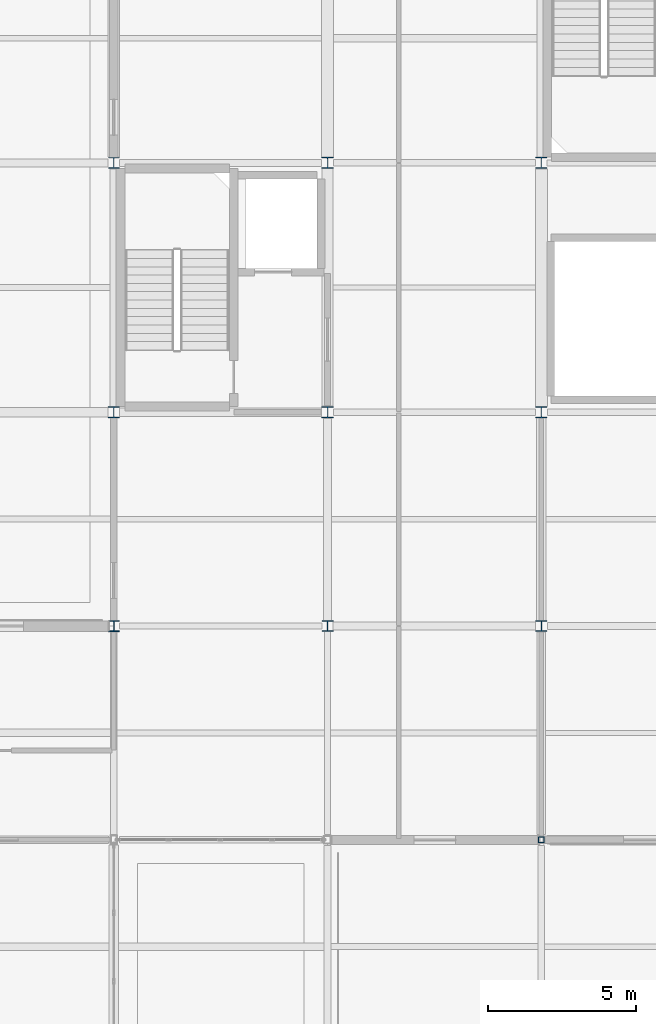
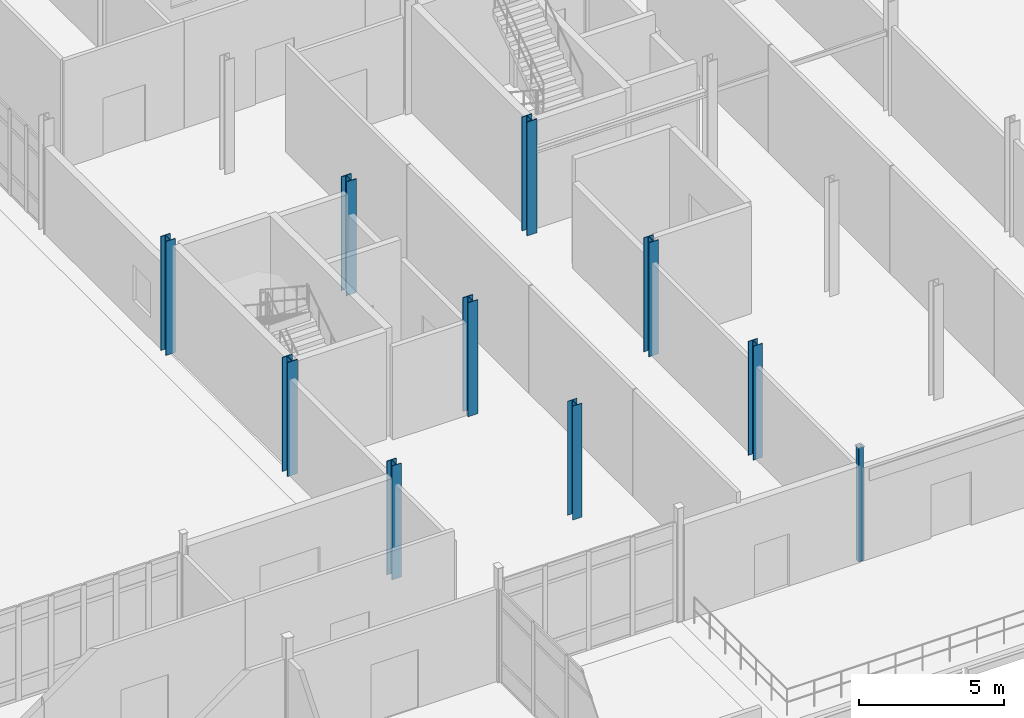
# One storey, part 7 of 186: 10 columns.
"""IFC4 building model written with IfcOpenShell, lengths in metres."""

import ifcopenshell
import ifcopenshell.guid

model = None  # the IFC model being written
_history = None  # IfcOwnerHistory: only IFC2X3 demands one
_inside = {}  # id of a spatial element -> (the spatial element, [elements in it])
_under = {}  # id of a project, library or spatial element -> (it, [spatial elements below it])
_declared = {}  # id of a project -> (the project, [libraries it declares])
_typed = {}  # id of a type object -> (the type object, [elements of that type])
_made_of = {}  # id of a material, layer set ... -> (it, [elements and type objects made of it])


def new_model(schema):
    """Start an empty IFC model of exactly this schema.

    Asked for "IFC4X3", IfcOpenShell would pick the latest addendum, in which some entities
    have other attributes; the version numbers below select the first issue.
    IFC2X3 requires an IfcOwnerHistory on every rooted entity: one is made here for all.
    """
    global model, _history
    if schema == "IFC4X3":
        model = ifcopenshell.file(schema_version=(4, 3, 0, 0))
    else:
        model = ifcopenshell.file(schema=schema)
    _inside.clear()
    _under.clear()
    _declared.clear()
    _typed.clear()
    _made_of.clear()
    _history = None
    if model.schema == "IFC2X3":
        org = make("IfcOrganization", Name="unknown")
        user = make(
            "IfcPersonAndOrganization",
            ThePerson=make("IfcPerson", FamilyName="unknown"),
            TheOrganization=org,
        )
        app = make(
            "IfcApplication",
            ApplicationDeveloper=org,
            Version="unknown",
            ApplicationFullName="unknown",
            ApplicationIdentifier="unknown",
        )
        _history = make(
            "IfcOwnerHistory",
            OwningUser=user,
            OwningApplication=app,
            ChangeAction="ADDED",
            CreationDate=0,
        )
    return model


def make(cls, **values):
    """One entity of the class cls with the attributes given. An attribute that is None is left unset."""
    return model.create_entity(
        cls, **{name: value for name, value in values.items() if value is not None}
    )


def rooted(cls, **values):
    """An entity with a GlobalId (a new one), such as an element, a storey or a relation."""
    return make(cls, GlobalId=ifcopenshell.guid.new(), OwnerHistory=_history, **values)


def si_unit(unit_type, name, prefix=None):
    """IfcSIUnit, for example si_unit("LENGTHUNIT", "METRE", prefix="MILLI")."""
    return make("IfcSIUnit", UnitType=unit_type, Prefix=prefix, Name=name)


def assignment(units):
    """IfcUnitAssignment: the units of a project."""
    return None if units is None else make("IfcUnitAssignment", Units=units)


def point(xyz):
    """IfcCartesianPoint."""
    return None if xyz is None else make("IfcCartesianPoint", Coordinates=xyz)


def direction(xyz):
    """IfcDirection."""
    return None if xyz is None else make("IfcDirection", DirectionRatios=xyz)


def frame(location, z_axis=None, x_axis=None):
    """IfcAxis2Placement3D, a coordinate frame: its origin and axes. An axis left out is left unset."""
    return make(
        "IfcAxis2Placement3D",
        Location=point(location),
        Axis=direction(z_axis),
        RefDirection=direction(x_axis),
    )


def frame_2d(location, x_axis=None):
    """IfcAxis2Placement2D, a coordinate frame in the plane: its origin and x axis."""
    return make(
        "IfcAxis2Placement2D", Location=point(location), RefDirection=direction(x_axis)
    )


def origin():
    """The frame at (0, 0, 0) with its axes left unset."""
    return frame((0.0, 0.0, 0.0))


def origin_2d():
    """The frame at (0, 0) in the plane with its x axis left unset."""
    return frame_2d((0.0, 0.0))


def place(relative_to, where):
    """IfcLocalPlacement: puts the frame where relative to a parent placement (None: the world)."""
    return make(
        "IfcLocalPlacement", PlacementRelTo=relative_to, RelativePlacement=where
    )


def context(
    kind, dimensions, precision=None, world=None, true_north=None, identifier=None
):
    """IfcGeometricRepresentationContext, for example the 3D "Model" context."""
    return make(
        "IfcGeometricRepresentationContext",
        ContextIdentifier=identifier,
        ContextType=kind,
        CoordinateSpaceDimension=dimensions,
        Precision=precision,
        WorldCoordinateSystem=world,
        TrueNorth=true_north,
    )


def subcontext(parent, identifier, kind, view, scale=None):
    """IfcGeometricRepresentationSubContext, for example "Body" below "Model"."""
    return make(
        "IfcGeometricRepresentationSubContext",
        ContextIdentifier=identifier,
        ContextType=kind,
        ParentContext=parent,
        TargetScale=scale,
        TargetView=view,
    )


def project(units=None, contexts=None):
    """IfcProject with its units and contexts."""
    return rooted(
        "IfcProject",
        Name="project",
        RepresentationContexts=contexts,
        UnitsInContext=assignment(units),
    )


def spatial(cls, under=None, at=None, **own):
    """A site, building, storey or space (cls), placed at a placement, below another one or the project."""
    s = rooted(cls, ObjectPlacement=at, **own)
    if under is not None:
        _under.setdefault(under.id(), (under, []))[1].append(s)
    return s


def profile(cls, at=None, kind="AREA", **sizes):
    """A parametric profile (cls). Its sizes go by their IFC names, for example OverallWidth=200.0."""
    return make(cls, ProfileType=kind, Position=at, **sizes)


def hollow_rectangle(**sizes):
    """IfcRectangleHollowProfileDef."""
    return profile("IfcRectangleHollowProfileDef", **sizes)


def i_section(**sizes):
    """IfcIShapeProfileDef."""
    return profile("IfcIShapeProfileDef", **sizes)


def extrude(swept, where, along, depth):
    """IfcExtrudedAreaSolid: the profile swept, set in the frame where, extruded along a direction by depth."""
    return make(
        "IfcExtrudedAreaSolid",
        SweptArea=swept,
        Position=where,
        ExtrudedDirection=direction(along),
        Depth=depth,
    )


def shape(context_of_items, identifier, shape_type, items):
    """IfcShapeRepresentation: the items that make up one representation, for example the "Body"."""
    return make(
        "IfcShapeRepresentation",
        ContextOfItems=context_of_items,
        RepresentationIdentifier=identifier,
        RepresentationType=shape_type,
        Items=items,
    )


def material(Name=None, Category=None):
    """IfcMaterial."""
    return make("IfcMaterial", Name=Name, Category=Category)


def material_profile(
    of_material, cross_section, Name=None, Category=None, Priority=None
):
    """IfcMaterialProfile: a cross section and its material."""
    return make(
        "IfcMaterialProfile",
        Name=Name,
        Material=of_material,
        Profile=cross_section,
        Priority=Priority,
        Category=Category,
    )


def profile_set(profiles, Name=None, composite=None):
    """IfcMaterialProfileSet."""
    return make(
        "IfcMaterialProfileSet",
        Name=Name,
        MaterialProfiles=profiles,
        CompositeProfile=composite,
    )


def made_of(thing, what):
    """Note that an element or type object is made of a material, layer set ...; save() writes the relation."""
    if what is not None:
        _made_of.setdefault(what.id(), (what, []))[1].append(thing)
    return thing


def type_object(cls, material=None, **own):
    """A type object (cls), such as IfcWallType, which elements share."""
    return made_of(rooted(cls, **own), material)


def element(
    cls,
    number,
    at=None,
    inside=None,
    cuts=None,
    type_object=None,
    material=None,
    context=None,
    identifier="Body",
    shape_type=None,
    held_by="IfcProductDefinitionShape",
    body=None,
    shapes=None,
    **own,
):
    """One element of the class cls, such as IfcWall. Its Tag is "e" and its number.

    at: its placement. inside: the storey or other place that contains it. cuts: it is an
    opening in that element (IfcRelVoidsElement). A single representation is given by context,
    identifier, shape_type and body (its items); several are given by shapes. held_by: the class
    of the entity that holds the representations. save() writes the other relations.
    """
    e = rooted(cls, Tag="e%d" % number, ObjectPlacement=at, **own)
    if body is not None:
        shapes = [shape(context, identifier, shape_type, body)]
    if shapes is not None:
        e.Representation = make(held_by, Representations=shapes)
    if inside is not None:
        _inside.setdefault(inside.id(), (inside, []))[1].append(e)
    if cuts is not None:
        rooted(
            "IfcRelVoidsElement", RelatingBuildingElement=cuts, RelatedOpeningElement=e
        )
    if type_object is not None:
        _typed.setdefault(type_object.id(), (type_object, []))[1].append(e)
    return made_of(e, material)


def aggregate(whole, parts):
    """IfcRelAggregates: a whole, such as a stair, and the parts it consists of."""
    return rooted("IfcRelAggregates", RelatingObject=whole, RelatedObjects=parts)


def save(model, path):
    """Write the relations noted so far, then the file.

    IfcRelAggregates (storeys below a building ...), IfcRelContainedInSpatialStructure (elements
    in a storey), IfcRelDefinesByType, IfcRelAssociatesMaterial and IfcRelDeclares: one each for
    every whole, place, type object, material and project.
    """
    for whole, parts in _under.values():
        aggregate(whole, parts)
    for where, things in _inside.values():
        rooted(
            "IfcRelContainedInSpatialStructure",
            RelatedElements=things,
            RelatingStructure=where,
        )
    for kind, things in _typed.values():
        rooted("IfcRelDefinesByType", RelatedObjects=things, RelatingType=kind)
    for what, things in _made_of.values():
        rooted("IfcRelAssociatesMaterial", RelatedObjects=things, RelatingMaterial=what)
    for by, libraries in _declared.values():
        rooted("IfcRelDeclares", RelatingContext=by, RelatedDefinitions=libraries)
    model.write(path)


model = new_model("IFC4")

# Units and contexts
model_context = context("Model", 3, precision=1e-05, world=origin(), true_north=direction((0.0, 1.0)))
body_context = subcontext(model_context, "Body", "Model", "MODEL_VIEW")
ifc_project = project(units=[si_unit("LENGTHUNIT", "METRE"), si_unit("AREAUNIT", "SQUARE_METRE"), si_unit("VOLUMEUNIT", "CUBIC_METRE"), si_unit("PLANEANGLEUNIT", "RADIAN"), si_unit("MASSUNIT", "GRAM", prefix="KILO")], contexts=[model_context])

# Site, building, storey
site_placement = place(None, origin())
site = spatial("IfcSite", under=ifc_project, at=site_placement, CompositionType="ELEMENT")
building_placement = place(site_placement, origin())
building = spatial("IfcBuilding", under=site, at=building_placement, Name="Calvrana Isthmian Art Gallery", CompositionType="ELEMENT")
storey_placement = place(building_placement, frame((0.0, 0.0, 5.39990234375)))
storey = spatial("IfcBuildingStorey", under=building, at=storey_placement, Name="L01", CompositionType="ELEMENT", Elevation=5.39990234375)

# Columns
ifc_material_1 = material(Name="Steel ASTM A500 Gr C", Category="steel")
ifc_material_profile_1 = material_profile(ifc_material_1, hollow_rectangle(XDim=0.203125, YDim=0.203125, WallThickness=0.0126953125, OuterFilletRadius=0.02490234375, at=origin_2d()), Name="HSS203X203X12.7")
ifc_profile_set_1 = profile_set([ifc_material_profile_1], Name="Steel ASTM A500 Gr C")
column_type_1 = type_object("IfcColumnType", Name="COL-STL-HSS203X203X12.7", PredefinedType="COLUMN", material=ifc_profile_set_1)
column_1_placement = place(storey_placement, frame((127.199951171875, 7.199951171875, 0.0), z_axis=(0.0, 0.0, 1.0), x_axis=(1.0, 0.0, 0.0)))
element("IfcColumn", 1, at=column_1_placement, inside=storey, type_object=column_type_1, Name="Column 17/B L01", PredefinedType="COLUMN", context=body_context, shape_type="SweptSolid", body=[
    extrude(hollow_rectangle(XDim=0.203125, YDim=0.203125, WallThickness=0.0126953125, OuterFilletRadius=0.02490234375, at=origin_2d()), origin(), (0.0, 0.0, 1.0), 4.800048828125),
])
ifc_material_2 = material(Name="Steel ASTM A992 Gr 50", Category="steel")
ifc_material_profile_2 = material_profile(ifc_material_2, i_section(OverallWidth=0.37109375, OverallDepth=0.363037109375, WebThickness=0.01318359375, FlangeThickness=0.021728515625, FilletRadius=0.02490234375, at=origin_2d()), Name="W14X109")
ifc_profile_set_2 = profile_set([ifc_material_profile_2], Name="Steel ASTM A992 Gr 50")
column_type_2 = type_object("IfcColumnType", Name="COL-STL-W14X109", PredefinedType="COLUMN", material=ifc_profile_set_2)
column_2_placement = place(storey_placement, frame((120.0, 14.39990234375, 0.0), z_axis=(0.0, 0.0, 1.0), x_axis=(1.0, 0.0, 0.0)))
element("IfcColumn", 2, at=column_2_placement, inside=storey, type_object=column_type_2, Name="Column 16/C L01", PredefinedType="COLUMN", context=body_context, shape_type="SweptSolid", body=[
    extrude(i_section(OverallWidth=0.37109375, OverallDepth=0.363037109375, WebThickness=0.01318359375, FlangeThickness=0.021728515625, FilletRadius=0.02490234375, at=origin_2d()), origin(), (0.0, 0.0, 1.0), 4.800048828125),
])
ifc_material_profile_3 = material_profile(ifc_material_2, i_section(OverallWidth=0.373046875, OverallDepth=0.367919921875, WebThickness=0.014892578125, FlangeThickness=0.02392578125, FilletRadius=0.02490234375, at=origin_2d()), Name="W14X120")
ifc_profile_set_3 = profile_set([ifc_material_profile_3], Name="Steel ASTM A992 Gr 50")
column_type_3 = type_object("IfcColumnType", Name="COL-STL-W14X120", PredefinedType="COLUMN", material=ifc_profile_set_3)
column_3_placement = place(storey_placement, frame((112.800048828125, 14.39990234375, 0.0), z_axis=(0.0, 0.0, 1.0), x_axis=(1.0, 0.0, 0.0)))
element("IfcColumn", 3, at=column_3_placement, inside=storey, type_object=column_type_3, Name="Column 15/C L01", PredefinedType="COLUMN", context=body_context, shape_type="SweptSolid", body=[
    extrude(i_section(OverallWidth=0.373046875, OverallDepth=0.367919921875, WebThickness=0.014892578125, FlangeThickness=0.02392578125, FilletRadius=0.02490234375, at=origin_2d()), origin(), (0.0, 0.0, 1.0), 4.800048828125),
])
ifc_material_profile_4 = material_profile(ifc_material_2, i_section(OverallWidth=0.373046875, OverallDepth=0.373046875, WebThickness=0.016357421875, FlangeThickness=0.026123046875, FilletRadius=0.02490234375, at=origin_2d()), Name="W14X132")
ifc_profile_set_4 = profile_set([ifc_material_profile_4], Name="Steel ASTM A992 Gr 50")
column_type_4 = type_object("IfcColumnType", Name="COL-STL-W14X132", PredefinedType="COLUMN", material=ifc_profile_set_4)
column_4_placement = place(storey_placement, frame((112.800048828125, 30.0, 0.0), z_axis=(0.0, 0.0, 1.0), x_axis=(1.0, 0.0, 0.0)))
element("IfcColumn", 4, at=column_4_placement, inside=storey, type_object=column_type_4, Name="Column 15/E L01", PredefinedType="COLUMN", context=body_context, shape_type="SweptSolid", body=[
    extrude(i_section(OverallWidth=0.373046875, OverallDepth=0.373046875, WebThickness=0.016357421875, FlangeThickness=0.026123046875, FilletRadius=0.02490234375, at=origin_2d()), origin(), (0.0, 0.0, 1.0), 4.800048828125),
])
ifc_material_profile_5 = material_profile(ifc_material_2, i_section(OverallWidth=0.39404296875, OverallDepth=0.3759765625, WebThickness=0.017333984375, FlangeThickness=0.027587890625, FilletRadius=0.02490234375, at=origin_2d()), Name="W14X145")
ifc_profile_set_5 = profile_set([ifc_material_profile_5], Name="Steel ASTM A992 Gr 50")
column_type_5 = type_object("IfcColumnType", Name="COL-STL-W14X145", PredefinedType="COLUMN", material=ifc_profile_set_5)
column_5_placement = place(storey_placement, frame((127.199951171875, 21.60009765625, 0.0), z_axis=(0.0, 0.0, 1.0), x_axis=(1.0, 0.0, 0.0)))
element("IfcColumn", 5, at=column_5_placement, inside=storey, type_object=column_type_5, Name="Column 17/D L01", PredefinedType="COLUMN", context=body_context, shape_type="SweptSolid", body=[
    extrude(i_section(OverallWidth=0.39404296875, OverallDepth=0.3759765625, WebThickness=0.017333984375, FlangeThickness=0.027587890625, FilletRadius=0.02490234375, at=origin_2d()), origin(), (0.0, 0.0, 1.0), 4.800048828125),
])
ifc_material_profile_6 = material_profile(ifc_material_2, i_section(OverallWidth=0.39599609375, OverallDepth=0.381103515625, WebThickness=0.018798828125, FlangeThickness=0.0302734375, FilletRadius=0.02490234375, at=origin_2d()), Name="W14X159")
ifc_profile_set_6 = profile_set([ifc_material_profile_6], Name="Steel ASTM A992 Gr 50")
column_type_6 = type_object("IfcColumnType", Name="COL-STL-W14X159", PredefinedType="COLUMN", material=ifc_profile_set_6)
for number, where, z_axis, x_axis, name in (
    (6, (120.0, 21.60009765625, 0.0), (0.0, 0.0, 1.0), (1.0, 0.0, 0.0), "Column 16/D L01"),
    (7, (127.199951171875, 30.0, 0.0), (0.0, 0.0, 1.0), (1.0, 0.0, 0.0), "Column 17/E L01"),
):
    element("IfcColumn", number, at=place(storey_placement, frame(where, z_axis=z_axis, x_axis=x_axis)), inside=storey, type_object=column_type_6, Name=name, PredefinedType="COLUMN", context=body_context, shape_type="SweptSolid", body=[
        extrude(i_section(OverallWidth=0.39599609375, OverallDepth=0.381103515625, WebThickness=0.018798828125, FlangeThickness=0.0302734375, FilletRadius=0.02490234375, at=origin_2d()), origin(), (0.0, 0.0, 1.0), 4.800048828125),
    ])
ifc_material_profile_7 = material_profile(ifc_material_2, i_section(OverallWidth=0.39892578125, OverallDepth=0.385986328125, WebThickness=0.02099609375, FlangeThickness=0.033203125, FilletRadius=0.02490234375, at=origin_2d()), Name="W14X176")
ifc_profile_set_7 = profile_set([ifc_material_profile_7], Name="Steel ASTM A992 Gr 50")
column_type_7 = type_object("IfcColumnType", Name="COL-STL-W14X176", PredefinedType="COLUMN", material=ifc_profile_set_7)
for number, where, z_axis, x_axis, name in (
    (8, (112.800048828125, 21.60009765625, 0.0), (0.0, 0.0, 1.0), (1.0, 0.0, 0.0), "Column 15/D L01"),
    (9, (120.0, 30.0, 0.0), (0.0, 0.0, 1.0), (1.0, 0.0, 0.0), "Column 16/E L01"),
):
    element("IfcColumn", number, at=place(storey_placement, frame(where, z_axis=z_axis, x_axis=x_axis)), inside=storey, type_object=column_type_7, Name=name, PredefinedType="COLUMN", context=body_context, shape_type="SweptSolid", body=[
        extrude(i_section(OverallWidth=0.39892578125, OverallDepth=0.385986328125, WebThickness=0.02099609375, FlangeThickness=0.033203125, FilletRadius=0.02490234375, at=origin_2d()), origin(), (0.0, 0.0, 1.0), 4.800048828125),
    ])
ifc_material_profile_8 = material_profile(ifc_material_2, i_section(OverallWidth=0.367919921875, OverallDepth=0.35595703125, WebThickness=0.01123046875, FlangeThickness=0.01806640625, FilletRadius=0.02490234375, at=origin_2d()), Name="W14X90")
ifc_profile_set_8 = profile_set([ifc_material_profile_8], Name="Steel ASTM A992 Gr 50")
column_type_8 = type_object("IfcColumnType", Name="COL-STL-W14X90", PredefinedType="COLUMN", material=ifc_profile_set_8)
column_6_placement = place(storey_placement, frame((127.199951171875, 14.39990234375, 0.0), z_axis=(0.0, 0.0, 1.0), x_axis=(1.0, 0.0, 0.0)))
element("IfcColumn", 10, at=column_6_placement, inside=storey, type_object=column_type_8, Name="Column 17/C L01", PredefinedType="COLUMN", context=body_context, shape_type="SweptSolid", body=[
    extrude(i_section(OverallWidth=0.367919921875, OverallDepth=0.35595703125, WebThickness=0.01123046875, FlangeThickness=0.01806640625, FilletRadius=0.02490234375, at=origin_2d()), origin(), (0.0, 0.0, 1.0), 4.800048828125),
])

save(model, "model.ifc")
